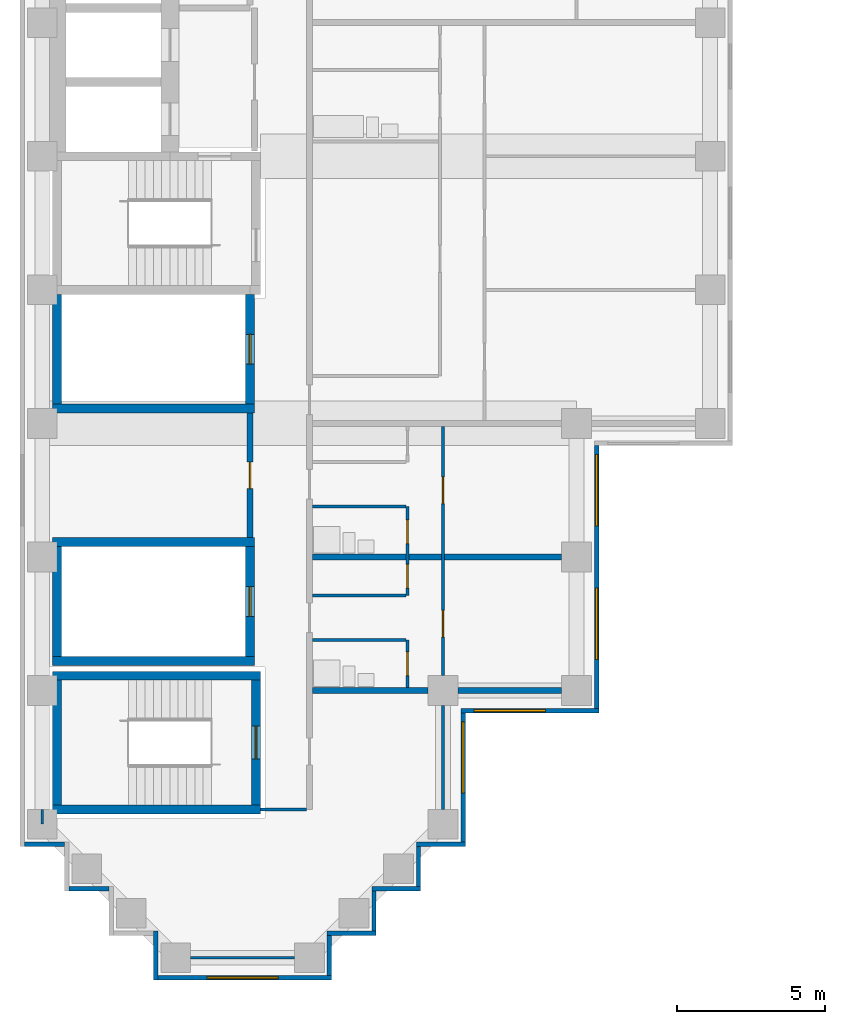
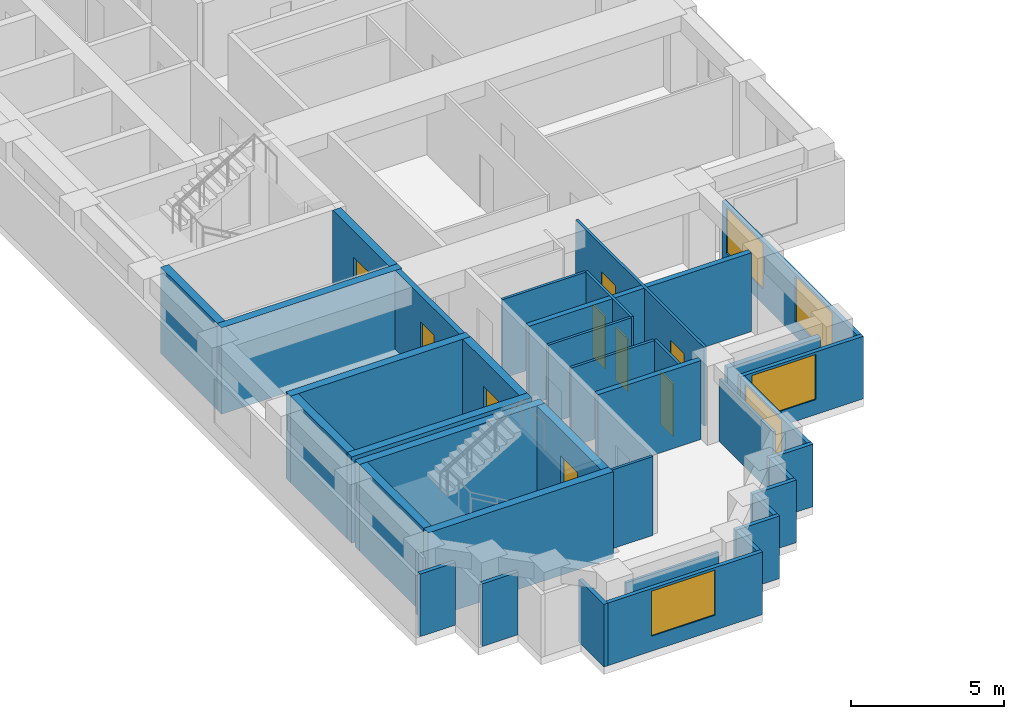
# One storey, part 2 of 12: 38 walls, 9 doors, 5 windows, 14 openings.
"""IFC4 building model written with IfcOpenShell, lengths in metres."""

from ifc_helpers import new_model, si_unit, direction, frame, frame_2d, origin, place, context, subcontext, project, spatial, rectangle, extrude, material, layer, layer_set, type_object, element, fill, save


model = new_model("IFC4")

# Units and contexts
model_context = context("Model", 3, precision=1e-05, world=origin(), true_north=direction((0.0, 1.0)))
body_context = subcontext(model_context, "Body", "Model", "MODEL_VIEW")
ifc_project = project(units=[si_unit("LENGTHUNIT", "METRE"), si_unit("AREAUNIT", "SQUARE_METRE"), si_unit("VOLUMEUNIT", "CUBIC_METRE"), si_unit("PLANEANGLEUNIT", "RADIAN"), si_unit("MASSUNIT", "GRAM", prefix="KILO")], contexts=[model_context])

# Site, building, storey
site_placement = place(None, origin())
site = spatial("IfcSite", under=ifc_project, at=site_placement, CompositionType="ELEMENT")
building_placement = place(site_placement, origin())
building = spatial("IfcBuilding", under=site, at=building_placement, Name="Firuza Court", CompositionType="ELEMENT")
storey_placement = place(building_placement, frame((0.0, 0.0, 170.0)))
storey = spatial("IfcBuildingStorey", under=building, at=storey_placement, Name="L43", CompositionType="ELEMENT", Elevation=170.0)

# Walls
ifc_material_1 = material(Name="Moisture-resistant gypsum board partition")
ifc_layer_1 = layer(ifc_material_1, 0.10009765625)
ifc_layer_set_1 = layer_set([ifc_layer_1], Name="Moisture-resistant gypsum board partition")
wall_type_1 = type_object("IfcWallType", Name="Bathroom partition 100", PredefinedType="PLUMBINGWALL", material=ifc_layer_set_1)
for number, where, z_axis, x_axis, name in (
    (1, (9.10009765625, 10.699951171875, 0.0), (0.0, 0.0, 1.0), (1.0, 0.0, 0.0), "Bathroom partition 100 L43"),
    (2, (9.10009765625, 15.199951171875, 0.0), (0.0, 0.0, 1.0), (1.0, 0.0, 0.0), "Bathroom partition 100 L43"),
):
    element("IfcWall", number, at=place(storey_placement, frame(where, z_axis=z_axis, x_axis=x_axis)), inside=storey, type_object=wall_type_1, Name=name, PredefinedType="PLUMBINGWALL", context=body_context, shape_type="SweptSolid", body=[
        extrude(rectangle(XDim=3.14990234375, YDim=0.10009765625, at=frame_2d((1.574951171875, 0.0))), origin(), (0.0, 0.0, 1.0), 3.14990234375),
    ])
ifc_material_2 = material(Name="Concrete C60/75", Category="concrete")
ifc_layer_2 = layer(ifc_material_2, 0.300048828125)
ifc_layer_set_2 = layer_set([ifc_layer_2], Name="Concrete C60/75")
wall_type_2 = type_object("IfcWallType", Name="Core wall 300 C60/75", PredefinedType="SHEAR", material=ifc_layer_set_2)
for number, where, z_axis, x_axis, name in (
    (3, (0.35009765625, 5.0, -0.300048828125), (0.0, 0.0, 1.0), (1.0, 0.0, 0.0), "Core wall stair L43"),
    (4, (0.35009765625, 9.5, -0.300048828125), (0.0, 0.0, 1.0), (1.0, 0.0, 0.0), "Core wall stair L43"),
):
    element("IfcWall", number, at=place(storey_placement, frame(where, z_axis=z_axis, x_axis=x_axis)), inside=storey, type_object=wall_type_2, Name=name, PredefinedType="SHEAR", context=body_context, shape_type="SweptSolid", body=[
        extrude(rectangle(XDim=7.0, YDim=0.300048828125, at=frame_2d((3.5, 0.0))), origin(), (0.0, 0.0, 1.0), 3.449951171875),
    ])
for number, where, z_axis, x_axis, name in (
    (5, (0.35009765625, 10.0, -0.300048828125), (0.0, 0.0, 1.0), (1.0, 0.0, 0.0), "Core wall riser L43"),
    (6, (0.35009765625, 14.0, -0.300048828125), (0.0, 0.0, 1.0), (1.0, 0.0, 0.0), "Core wall riser L43"),
    (7, (0.35009765625, 18.5, -0.300048828125), (0.0, 0.0, 1.0), (1.0, 0.0, 0.0), "Core wall riser L43"),
):
    element("IfcWall", number, at=place(storey_placement, frame(where, z_axis=z_axis, x_axis=x_axis)), inside=storey, type_object=wall_type_2, Name=name, PredefinedType="SHEAR", context=body_context, shape_type="SweptSolid", body=[
        extrude(rectangle(XDim=6.7998046875, YDim=0.300048828125, at=frame_2d((3.39990234375, 0.0))), origin(), (0.0, 0.0, 1.0), 3.449951171875),
    ])
wall_1_placement = place(storey_placement, frame((0.5, 5.14990234375, -0.300048828125), z_axis=(0.0, 0.0, 1.0), x_axis=(0.0, 1.0, 0.0)))
element("IfcWall", 8, at=wall_1_placement, inside=storey, type_object=wall_type_2, Name="Core wall stair L43", PredefinedType="SHEAR", context=body_context, shape_type="SweptSolid", body=[
    extrude(rectangle(XDim=4.2001953125, YDim=0.300048828125, at=frame_2d((2.10009765625, 0.0))), origin(), (0.0, 0.0, 1.0), 3.449951171875),
])
for number, where, z_axis, x_axis, name in (
    (9, (0.5, 10.14990234375, -0.300048828125), (0.0, 0.0, 1.0), (0.0, 1.0, 0.0), "Core wall riser L43"),
    (10, (0.5, 18.64990234375, -0.300048828125), (0.0, 0.0, 1.0), (0.0, 1.0, 0.0), "Core wall riser L43"),
):
    element("IfcWall", number, at=place(storey_placement, frame(where, z_axis=z_axis, x_axis=x_axis)), inside=storey, type_object=wall_type_2, Name=name, PredefinedType="SHEAR", context=body_context, shape_type="SweptSolid", body=[
        extrude(rectangle(XDim=3.7001953125, YDim=0.300048828125, at=frame_2d((1.85009765625, 0.0))), origin(), (0.0, 0.0, 1.0), 3.449951171875),
    ])

# Wall, opening, door
wall_2_placement = place(storey_placement, frame((7.0, 10.14990234375, -0.300048828125), z_axis=(0.0, 0.0, 1.0), x_axis=(0.0, 1.0, 0.0)))
wall_2 = element("IfcWall", 11, at=wall_2_placement, inside=storey, type_object=wall_type_2, Name="Core wall riser L43", PredefinedType="SHEAR", context=body_context, shape_type="SweptSolid", body=[
    extrude(rectangle(XDim=3.7001953125, YDim=0.300048828125, at=frame_2d((1.85009765625, 0.0))), origin(), (0.0, 0.0, 1.0), 3.449951171875),
])
opening_1_placement = place(wall_2_placement, frame((1.35009765625, 0.0, 0.300048828125)))
opening_1 = element("IfcOpeningElement", 12, at=opening_1_placement, cuts=wall_2, Name="Opening D43011", PredefinedType="OPENING", context=body_context, shape_type="SweptSolid", body=[
    extrude(rectangle(XDim=1.0, YDim=2.10009765625, at=frame_2d((0.5, 1.050048828125))), frame((0.0, 0.162109375, 0.0), z_axis=(0.0, -1.0, 0.0), x_axis=(1.0, 0.0, 0.0)), (0.0, 0.0, 1.0), 0.323974609375),
])
ifc_material_3 = material(Name="Timber door leaf in hardwood frame", Category="wood")
door_type_1 = type_object("IfcDoorType", Name="Riser door 1000", OperationType="SINGLE_SWING_LEFT", PredefinedType="DOOR", material=ifc_material_3)
door_1_placement = place(opening_1_placement, origin())
door_1 = element("IfcDoor", 13, at=door_1_placement, inside=storey, type_object=door_type_1, Name="Riser door R4", OperationType="SINGLE_SWING_LEFT", OverallHeight=2.10009765625, OverallWidth=1.0, PredefinedType="DOOR", context=body_context, shape_type="SweptSolid", body=[
    extrude(rectangle(XDim=1.0, YDim=2.10009765625, at=frame_2d((0.5, 1.050048828125))), frame((0.0, 0.02490234375, 0.0), z_axis=(0.0, -1.0, 0.0), x_axis=(1.0, 0.0, 0.0)), (0.0, 0.0, 1.0), 0.050048828125),
])
fill(opening_1, door_1)

wall_3_placement = place(storey_placement, frame((7.0, 18.64990234375, -0.300048828125), z_axis=(0.0, 0.0, 1.0), x_axis=(0.0, 1.0, 0.0)))
wall_3 = element("IfcWall", 14, at=wall_3_placement, inside=storey, type_object=wall_type_2, Name="Core wall riser L43", PredefinedType="SHEAR", context=body_context, shape_type="SweptSolid", body=[
    extrude(rectangle(XDim=3.7001953125, YDim=0.300048828125, at=frame_2d((1.85009765625, 0.0))), origin(), (0.0, 0.0, 1.0), 3.449951171875),
])
opening_2_placement = place(wall_3_placement, frame((1.35009765625, 0.0, 0.300048828125)))
opening_2 = element("IfcOpeningElement", 15, at=opening_2_placement, cuts=wall_3, Name="Opening D43009", PredefinedType="OPENING", context=body_context, shape_type="SweptSolid", body=[
    extrude(rectangle(XDim=1.0, YDim=2.10009765625, at=frame_2d((0.5, 1.050048828125))), frame((0.0, 0.162109375, 0.0), z_axis=(0.0, -1.0, 0.0), x_axis=(1.0, 0.0, 0.0)), (0.0, 0.0, 1.0), 0.323974609375),
])
door_2_placement = place(opening_2_placement, origin())
door_2 = element("IfcDoor", 16, at=door_2_placement, inside=storey, type_object=door_type_1, Name="Riser door R1", OperationType="SINGLE_SWING_LEFT", OverallHeight=2.10009765625, OverallWidth=1.0, PredefinedType="DOOR", context=body_context, shape_type="SweptSolid", body=[
    extrude(rectangle(XDim=1.0, YDim=2.10009765625, at=frame_2d((0.5, 1.050048828125))), frame((0.0, 0.02490234375, 0.0), z_axis=(0.0, -1.0, 0.0), x_axis=(1.0, 0.0, 0.0)), (0.0, 0.0, 1.0), 0.050048828125),
])
fill(opening_2, door_2)

wall_4_placement = place(storey_placement, frame((7.199951171875, 5.14990234375, -0.300048828125), z_axis=(0.0, 0.0, 1.0), x_axis=(0.0, 1.0, 0.0)))
wall_4 = element("IfcWall", 17, at=wall_4_placement, inside=storey, type_object=wall_type_2, Name="Core wall stair L43", PredefinedType="SHEAR", context=body_context, shape_type="SweptSolid", body=[
    extrude(rectangle(XDim=4.2001953125, YDim=0.300048828125, at=frame_2d((2.10009765625, 0.0))), origin(), (0.0, 0.0, 1.0), 3.449951171875),
])
opening_3_placement = place(wall_4_placement, frame((1.550048828125, 0.0, 0.300048828125)))
opening_3 = element("IfcOpeningElement", 18, at=opening_3_placement, cuts=wall_4, Name="Opening D43017", PredefinedType="OPENING", context=body_context, shape_type="SweptSolid", body=[
    extrude(rectangle(XDim=1.10009765625, YDim=2.10009765625, at=frame_2d((0.550048828125, 1.050048828125))), frame((0.0, 0.162109375, 0.0), z_axis=(0.0, -1.0, 0.0), x_axis=(1.0, 0.0, 0.0)), (0.0, 0.0, 1.0), 0.323974609375),
])
ifc_material_4 = material(Name="Timber door leaf in hardwood frame", Category="wood")
door_type_2 = type_object("IfcDoorType", Name="Stair door 1100", OperationType="SINGLE_SWING_LEFT", PredefinedType="DOOR", material=ifc_material_4)
door_3_placement = place(opening_3_placement, origin())
door_3 = element("IfcDoor", 19, at=door_3_placement, inside=storey, type_object=door_type_2, Name="Stair door S5", OperationType="SINGLE_SWING_LEFT", OverallHeight=2.10009765625, OverallWidth=1.10009765625, PredefinedType="DOOR", context=body_context, shape_type="SweptSolid", body=[
    extrude(rectangle(XDim=1.10009765625, YDim=2.10009765625, at=frame_2d((0.550048828125, 1.050048828125))), frame((0.0, 0.02490234375, 0.0), z_axis=(0.0, -1.0, 0.0), x_axis=(1.0, 0.0, 0.0)), (0.0, 0.0, 1.0), 0.050048828125),
])
fill(opening_3, door_3)

ifc_material_5 = material(Name="Blockwork, plastered both sides", Category="masonry")
ifc_layer_3 = layer(ifc_material_5, 0.199951171875)
ifc_layer_set_3 = layer_set([ifc_layer_3], Name="Blockwork, plastered both sides")
wall_type_3 = type_object("IfcWallType", Name="Corridor wall 200", PredefinedType="PARTITIONING", material=ifc_layer_set_3)
wall_5_placement = place(storey_placement, frame((7.0, 14.14990234375, 0.0), z_axis=(0.0, 0.0, 1.0), x_axis=(0.0, 1.0, 0.0)))
wall_5 = element("IfcWall", 20, at=wall_5_placement, inside=storey, type_object=wall_type_3, Name="Corridor wall 200 L43", PredefinedType="PARTITIONING", context=body_context, shape_type="SweptSolid", body=[
    extrude(rectangle(XDim=4.2001953125, YDim=0.199951171875, at=frame_2d((2.10009765625, 0.0))), origin(), (0.0, 0.0, 1.0), 3.14990234375),
])
opening_4_placement = place(wall_5_placement, frame((1.64990234375, 0.0, 0.0)))
opening_4 = element("IfcOpeningElement", 21, at=opening_4_placement, cuts=wall_5, Name="Opening D43027", PredefinedType="OPENING", context=body_context, shape_type="SweptSolid", body=[
    extrude(rectangle(XDim=0.89990234375, YDim=2.10009765625, at=frame_2d((0.449951171875, 1.050048828125))), frame((0.0, 0.11181640625, 0.0), z_axis=(0.0, -1.0, 0.0), x_axis=(1.0, 0.0, 0.0)), (0.0, 0.0, 1.0), 0.223876953125),
])
ifc_material_6 = material(Name="Timber door leaf in hardwood frame", Category="wood")
door_type_3 = type_object("IfcDoorType", Name="Room door 900 EI 30", OperationType="SINGLE_SWING_LEFT", PredefinedType="DOOR", material=ifc_material_6)
door_4_placement = place(opening_4_placement, origin())
door_4 = element("IfcDoor", 22, at=door_4_placement, inside=storey, type_object=door_type_3, Name="Meeting room door", OperationType="SINGLE_SWING_LEFT", OverallHeight=2.10009765625, OverallWidth=0.89990234375, PredefinedType="DOOR", context=body_context, shape_type="SweptSolid", body=[
    extrude(rectangle(XDim=0.89990234375, YDim=2.10009765625, at=frame_2d((0.449951171875, 1.050048828125))), frame((0.0, 0.02490234375, 0.0), z_axis=(0.0, -1.0, 0.0), x_axis=(1.0, 0.0, 0.0)), (0.0, 0.0, 1.0), 0.050048828125),
])
fill(opening_4, door_4)

# Walls
ifc_material_7 = material(Name="Timber stud partition, plasterboard both sides", Category="wood")
ifc_layer_4 = layer(ifc_material_7, 0.10009765625)
ifc_layer_set_4 = layer_set([ifc_layer_4], Name="Timber stud partition, plasterboard both sides")
wall_type_4 = type_object("IfcWallType", Name="Partition wall 100", PredefinedType="PARTITIONING", material=ifc_layer_set_4)
wall_6_placement = place(storey_placement, frame((5.0, 0.0, 0.0), z_axis=(0.0, 0.0, 1.0), x_axis=(1.0, 0.0, 0.0)))
element("IfcWall", 23, at=wall_6_placement, inside=storey, type_object=wall_type_4, Name="Partition wall 100 L43", PredefinedType="PARTITIONING", context=body_context, shape_type="SweptSolid", body=[
    extrude(rectangle(XDim=3.5, YDim=0.10009765625, at=frame_2d((1.75, 0.0))), origin(), (0.0, 0.0, 1.0), 2.5),
])
wall_7_placement = place(storey_placement, frame((0.0, 4.5, 0.0), z_axis=(0.0, 0.0, 1.0), x_axis=(0.0, 1.0, 0.0)))
element("IfcWall", 24, at=wall_7_placement, inside=storey, type_object=wall_type_4, Name="Partition wall 100 L43", PredefinedType="PARTITIONING", context=body_context, shape_type="SweptSolid", body=[
    extrude(rectangle(XDim=0.5, YDim=0.10009765625, at=frame_2d((0.25, 0.0))), origin(), (0.0, 0.0, 1.0), 2.5),
])
wall_8_placement = place(storey_placement, frame((7.34912109375, 5.0, 0.0), z_axis=(0.0, 0.0, 1.0), x_axis=(1.0, 0.0, 0.0)))
element("IfcWall", 25, at=wall_8_placement, inside=storey, type_object=wall_type_4, Name="Partition wall 100 L43", PredefinedType="PARTITIONING", context=body_context, shape_type="SweptSolid", body=[
    extrude(rectangle(XDim=1.55078125, YDim=0.10009765625, at=frame_2d((0.775390625, 0.0))), origin(), (0.0, 0.0, 1.0), 3.14990234375),
])
wall_9_placement = place(storey_placement, frame((13.5, 5.0, 0.0), z_axis=(0.0, 0.0, 1.0), x_axis=(0.0, 1.0, 0.0)))
element("IfcWall", 26, at=wall_9_placement, inside=storey, type_object=wall_type_4, Name="Partition wall 100 L43", PredefinedType="PARTITIONING", context=body_context, shape_type="SweptSolid", body=[
    extrude(rectangle(XDim=3.5, YDim=0.10009765625, at=frame_2d((1.75, 0.0))), origin(), (0.0, 0.0, 1.0), 2.5),
])

# Wall, opening, door
wall_10_placement = place(storey_placement, frame((12.300048828125, 9.10009765625, 0.0), z_axis=(0.0, 0.0, 1.0), x_axis=(0.0, 1.0, 0.0)))
wall_10 = element("IfcWall", 27, at=wall_10_placement, inside=storey, type_object=wall_type_4, Name="Partition wall 100 L43", PredefinedType="PARTITIONING", context=body_context, shape_type="SweptSolid", body=[
    extrude(rectangle(XDim=1.599853515625, YDim=0.10009765625, at=frame_2d((0.7998046875, 0.0))), origin(), (0.0, 0.0, 1.0), 3.14990234375),
])
opening_5_placement = place(wall_10_placement, frame((0.39990234375, 0.0, 0.0)))
opening_5 = element("IfcOpeningElement", 28, at=opening_5_placement, cuts=wall_10, Name="Opening D43022", PredefinedType="OPENING", context=body_context, shape_type="SweptSolid", body=[
    extrude(rectangle(XDim=0.800048828125, YDim=2.10009765625, at=frame_2d((0.39990234375, 1.050048828125))), frame((0.0, 0.06201171875, 0.0), z_axis=(0.0, -1.0, 0.0), x_axis=(1.0, 0.0, 0.0)), (0.0, 0.0, 1.0), 0.1240234375),
])
ifc_material_8 = material(Name="Timber door leaf in hardwood frame", Category="wood")
door_type_4 = type_object("IfcDoorType", Name="Bathroom door 800", OperationType="SINGLE_SWING_LEFT", PredefinedType="DOOR", material=ifc_material_8)
door_5_placement = place(opening_5_placement, origin())
door_5 = element("IfcDoor", 29, at=door_5_placement, inside=storey, type_object=door_type_4, Name="Bathroom door", OperationType="SINGLE_SWING_RIGHT", OverallHeight=2.10009765625, OverallWidth=0.800048828125, PredefinedType="DOOR", context=body_context, shape_type="SweptSolid", body=[
    extrude(rectangle(XDim=0.800048828125, YDim=2.10009765625, at=frame_2d((0.39990234375, 1.050048828125))), frame((0.0, 0.02490234375, 0.0), z_axis=(0.0, -1.0, 0.0), x_axis=(1.0, 0.0, 0.0)), (0.0, 0.0, 1.0), 0.050048828125),
])
fill(opening_5, door_5)

# Wall, openings, doors
wall_11_placement = place(storey_placement, frame((13.5, 9.5, 0.0), z_axis=(0.0, 0.0, 1.0), x_axis=(0.0, 1.0, 0.0)))
wall_11 = element("IfcWall", 30, at=wall_11_placement, inside=storey, type_object=wall_type_4, Name="Partition wall 100 L43", PredefinedType="PARTITIONING", context=body_context, shape_type="SweptSolid", body=[
    extrude(rectangle(XDim=8.39990234375, YDim=0.10009765625, at=frame_2d((4.199951171875, 0.0))), origin(), (0.0, 0.0, 1.0), 3.14990234375),
])
opening_6_placement = place(wall_11_placement, frame((5.800048828125, 0.0, 0.0)))
opening_6 = element("IfcOpeningElement", 31, at=opening_6_placement, cuts=wall_11, Name="Opening D43023", PredefinedType="OPENING", context=body_context, shape_type="SweptSolid", body=[
    extrude(rectangle(XDim=0.89990234375, YDim=2.10009765625, at=frame_2d((0.449951171875, 1.050048828125))), frame((0.0, 0.06201171875, 0.0), z_axis=(0.0, -1.0, 0.0), x_axis=(1.0, 0.0, 0.0)), (0.0, 0.0, 1.0), 0.1240234375),
])
opening_7_placement = place(wall_11_placement, frame((1.300048828125, 0.0, 0.0)))
opening_7 = element("IfcOpeningElement", 32, at=opening_7_placement, cuts=wall_11, Name="Opening D43024", PredefinedType="OPENING", context=body_context, shape_type="SweptSolid", body=[
    extrude(rectangle(XDim=0.89990234375, YDim=2.10009765625, at=frame_2d((0.449951171875, 1.050048828125))), frame((0.0, 0.06201171875, 0.0), z_axis=(0.0, -1.0, 0.0), x_axis=(1.0, 0.0, 0.0)), (0.0, 0.0, 1.0), 0.1240234375),
])
ifc_material_9 = material(Name="Timber door leaf in hardwood frame", Category="wood")
door_type_5 = type_object("IfcDoorType", Name="Room door 900", OperationType="SINGLE_SWING_LEFT", PredefinedType="DOOR", material=ifc_material_9)
door_6_placement = place(opening_6_placement, frame((0.89990234375, 0.0, 0.0), z_axis=(0.0, 0.0, 1.0), x_axis=(-1.0, 0.0, 0.0)))
door_6 = element("IfcDoor", 33, at=door_6_placement, inside=storey, type_object=door_type_5, Name="Studio room door", OperationType="SINGLE_SWING_RIGHT", OverallHeight=2.10009765625, OverallWidth=0.89990234375, PredefinedType="DOOR", context=body_context, shape_type="SweptSolid", body=[
    extrude(rectangle(XDim=0.89990234375, YDim=2.10009765625, at=frame_2d((0.449951171875, 1.050048828125))), frame((0.0, 0.02490234375, 0.0), z_axis=(0.0, -1.0, 0.0), x_axis=(1.0, 0.0, 0.0)), (0.0, 0.0, 1.0), 0.050048828125),
])
fill(opening_6, door_6)
door_7_placement = place(opening_7_placement, frame((0.89990234375, 0.0, 0.0), z_axis=(0.0, 0.0, 1.0), x_axis=(-1.0, 0.0, 0.0)))
door_7 = element("IfcDoor", 34, at=door_7_placement, inside=storey, type_object=door_type_5, Name="Studio room door", OperationType="SINGLE_SWING_RIGHT", OverallHeight=2.10009765625, OverallWidth=0.89990234375, PredefinedType="DOOR", context=body_context, shape_type="SweptSolid", body=[
    extrude(rectangle(XDim=0.89990234375, YDim=2.10009765625, at=frame_2d((0.449951171875, 1.050048828125))), frame((0.0, 0.02490234375, 0.0), z_axis=(0.0, -1.0, 0.0), x_axis=(1.0, 0.0, 0.0)), (0.0, 0.0, 1.0), 0.050048828125),
])
fill(opening_7, door_7)

# Wall
wall_12_placement = place(storey_placement, frame((9.10009765625, 12.199951171875, 0.0), z_axis=(0.0, 0.0, 1.0), x_axis=(1.0, 0.0, 0.0)))
element("IfcWall", 35, at=wall_12_placement, inside=storey, type_object=wall_type_4, Name="Partition wall 100 L43", PredefinedType="PARTITIONING", context=body_context, shape_type="SweptSolid", body=[
    extrude(rectangle(XDim=3.14990234375, YDim=0.10009765625, at=frame_2d((1.574951171875, 0.0))), origin(), (0.0, 0.0, 1.0), 3.14990234375),
])

# Wall, openings, doors
wall_13_placement = place(storey_placement, frame((12.300048828125, 12.199951171875, 0.0), z_axis=(0.0, 0.0, 1.0), x_axis=(0.0, 1.0, 0.0)))
wall_13 = element("IfcWall", 36, at=wall_13_placement, inside=storey, type_object=wall_type_4, Name="Partition wall 100 L43", PredefinedType="PARTITIONING", context=body_context, shape_type="SweptSolid", body=[
    extrude(rectangle(XDim=3.0, YDim=0.10009765625, at=frame_2d((1.5, 0.0))), origin(), (0.0, 0.0, 1.0), 3.14990234375),
])
opening_8_placement = place(wall_13_placement, frame((1.75, 0.0, 0.0)))
opening_8 = element("IfcOpeningElement", 37, at=opening_8_placement, cuts=wall_13, Name="Opening D43025", PredefinedType="OPENING", context=body_context, shape_type="SweptSolid", body=[
    extrude(rectangle(XDim=0.800048828125, YDim=2.10009765625, at=frame_2d((0.39990234375, 1.050048828125))), frame((0.0, 0.06201171875, 0.0), z_axis=(0.0, -1.0, 0.0), x_axis=(1.0, 0.0, 0.0)), (0.0, 0.0, 1.0), 0.1240234375),
])
opening_9_placement = place(wall_13_placement, frame((0.25, 0.0, 0.0)))
opening_9 = element("IfcOpeningElement", 38, at=opening_9_placement, cuts=wall_13, Name="Opening D43026", PredefinedType="OPENING", context=body_context, shape_type="SweptSolid", body=[
    extrude(rectangle(XDim=0.800048828125, YDim=2.10009765625, at=frame_2d((0.39990234375, 1.050048828125))), frame((0.0, 0.06201171875, 0.0), z_axis=(0.0, -1.0, 0.0), x_axis=(1.0, 0.0, 0.0)), (0.0, 0.0, 1.0), 0.1240234375),
])
door_8_placement = place(opening_8_placement, origin())
door_8 = element("IfcDoor", 39, at=door_8_placement, inside=storey, type_object=door_type_4, Name="Bathroom door", OperationType="SINGLE_SWING_LEFT", OverallHeight=2.10009765625, OverallWidth=0.800048828125, PredefinedType="DOOR", context=body_context, shape_type="SweptSolid", body=[
    extrude(rectangle(XDim=0.800048828125, YDim=2.10009765625, at=frame_2d((0.39990234375, 1.050048828125))), frame((0.0, 0.02490234375, 0.0), z_axis=(0.0, -1.0, 0.0), x_axis=(1.0, 0.0, 0.0)), (0.0, 0.0, 1.0), 0.050048828125),
])
fill(opening_8, door_8)
ifc_material_10 = material(Name="Timber door leaf in hardwood frame", Category="wood")
door_type_6 = type_object("IfcDoorType", Name="Room door 800", OperationType="SINGLE_SWING_LEFT", PredefinedType="DOOR", material=ifc_material_10)
door_9_placement = place(opening_9_placement, origin())
door_9 = element("IfcDoor", 40, at=door_9_placement, inside=storey, type_object=door_type_6, Name="Kitchen door", OperationType="SINGLE_SWING_LEFT", OverallHeight=2.10009765625, OverallWidth=0.800048828125, PredefinedType="DOOR", context=body_context, shape_type="SweptSolid", body=[
    extrude(rectangle(XDim=0.800048828125, YDim=2.10009765625, at=frame_2d((0.39990234375, 1.050048828125))), frame((0.0, 0.02490234375, 0.0), z_axis=(0.0, -1.0, 0.0), x_axis=(1.0, 0.0, 0.0)), (0.0, 0.0, 1.0), 0.050048828125),
])
fill(opening_9, door_9)

# Walls
ifc_layer_5 = layer(ifc_material_5, 0.199951171875)
ifc_layer_set_5 = layer_set([ifc_layer_5], Name="Blockwork, plastered both sides")
wall_type_5 = type_object("IfcWallType", Name="Party wall 200", PredefinedType="PARTITIONING", material=ifc_layer_set_5)
wall_14_placement = place(storey_placement, frame((9.10009765625, 9.0, 0.0), z_axis=(0.0, 0.0, 1.0), x_axis=(1.0, 0.0, 0.0)))
element("IfcWall", 41, at=wall_14_placement, inside=storey, type_object=wall_type_5, Name="Party wall 200 L43", PredefinedType="PARTITIONING", context=body_context, shape_type="SweptSolid", body=[
    extrude(rectangle(XDim=3.89990234375, YDim=0.199951171875, at=frame_2d((1.949951171875, 0.0))), origin(), (0.0, 0.0, 1.0), 3.14990234375),
])
wall_15_placement = place(storey_placement, frame((14.0, 9.0, 0.0), z_axis=(0.0, 0.0, 1.0), x_axis=(1.0, 0.0, 0.0)))
element("IfcWall", 42, at=wall_15_placement, inside=storey, type_object=wall_type_5, Name="Party wall 200 L43", PredefinedType="PARTITIONING", context=body_context, shape_type="SweptSolid", body=[
    extrude(rectangle(XDim=3.5, YDim=0.199951171875, at=frame_2d((1.75, 0.0))), origin(), (0.0, 0.0, 1.0), 2.5),
])
wall_16_placement = place(storey_placement, frame((9.10009765625, 13.5, 0.0), z_axis=(0.0, 0.0, 1.0), x_axis=(1.0, 0.0, 0.0)))
element("IfcWall", 43, at=wall_16_placement, inside=storey, type_object=wall_type_5, Name="Party wall 200 L43", PredefinedType="PARTITIONING", context=body_context, shape_type="SweptSolid", body=[
    extrude(rectangle(XDim=8.39990234375, YDim=0.199951171875, at=frame_2d((4.199951171875, 0.0))), origin(), (0.0, 0.0, 1.0), 3.14990234375),
])
ifc_material_11 = material(Name="Ceramic tile", Category="ceramic")
ifc_layer_6 = layer(ifc_material_11, 0.02001953125)
ifc_material_12 = material(Name="Mineral wool insulation", Category="insulation")
ifc_layer_7 = layer(ifc_material_12, 0.050048828125)
ifc_material_13 = material(Name="Concrete C40/50 precast", Category="concrete")
ifc_layer_8 = layer(ifc_material_13, 0.080078125)
ifc_layer_set_6 = layer_set([ifc_layer_6, ifc_layer_7, ifc_layer_8], Name="Concrete C40/50 precast")
wall_type_6 = type_object("IfcWallType", Name="Precast cladding wall with turquoise TILE PANEL face 150", PredefinedType="STANDARD", material=ifc_layer_set_6)
wall_17_placement = place(storey_placement, frame((9.675048828125, -0.60009765625, 0.0), z_axis=(0.0, 0.0, 1.0), x_axis=(0.0, 1.0, 0.0)))
element("IfcWall", 44, at=wall_17_placement, inside=storey, type_object=wall_type_6, Name="Facade wall L43 E", PredefinedType="STANDARD", context=body_context, shape_type="SweptSolid", body=[
    extrude(rectangle(XDim=1.35009765625, YDim=0.14990234375, at=frame_2d((0.675048828125, 0.0))), origin(), (0.0, 0.0, 1.0), 2.5),
])
wall_18_placement = place(storey_placement, frame((9.60009765625, 0.824951171875, 0.0), z_axis=(0.0, 0.0, 1.0), x_axis=(1.0, 0.0, 0.0)))
element("IfcWall", 45, at=wall_18_placement, inside=storey, type_object=wall_type_6, Name="Facade wall L43 S", PredefinedType="STANDARD", context=body_context, shape_type="SweptSolid", body=[
    extrude(rectangle(XDim=1.64990234375, YDim=0.14990234375, at=frame_2d((0.824951171875, 0.0))), origin(), (0.0, 0.0, 1.0), 2.5),
])
wall_19_placement = place(storey_placement, frame((11.175048828125, 0.89990234375, 0.0), z_axis=(0.0, 0.0, 1.0), x_axis=(0.0, 1.0, 0.0)))
element("IfcWall", 46, at=wall_19_placement, inside=storey, type_object=wall_type_6, Name="Facade wall L43 E", PredefinedType="STANDARD", context=body_context, shape_type="SweptSolid", body=[
    extrude(rectangle(XDim=1.35009765625, YDim=0.14990234375, at=frame_2d((0.675048828125, 0.0))), origin(), (0.0, 0.0, 1.0), 2.5),
])
wall_20_placement = place(storey_placement, frame((11.10009765625, 2.324951171875, 0.0), z_axis=(0.0, 0.0, 1.0), x_axis=(1.0, 0.0, 0.0)))
element("IfcWall", 47, at=wall_20_placement, inside=storey, type_object=wall_type_6, Name="Facade wall L43 S", PredefinedType="STANDARD", context=body_context, shape_type="SweptSolid", body=[
    extrude(rectangle(XDim=1.64990234375, YDim=0.14990234375, at=frame_2d((0.824951171875, 0.0))), origin(), (0.0, 0.0, 1.0), 2.5),
])
wall_21_placement = place(storey_placement, frame((12.675048828125, 2.39990234375, 0.0), z_axis=(0.0, 0.0, 1.0), x_axis=(0.0, 1.0, 0.0)))
element("IfcWall", 48, at=wall_21_placement, inside=storey, type_object=wall_type_6, Name="Facade wall L43 E", PredefinedType="STANDARD", context=body_context, shape_type="SweptSolid", body=[
    extrude(rectangle(XDim=1.35009765625, YDim=0.14990234375, at=frame_2d((0.675048828125, 0.0))), origin(), (0.0, 0.0, 1.0), 2.5),
])
wall_22_placement = place(storey_placement, frame((12.60009765625, 3.824951171875, 0.0), z_axis=(0.0, 0.0, 1.0), x_axis=(1.0, 0.0, 0.0)))
element("IfcWall", 49, at=wall_22_placement, inside=storey, type_object=wall_type_6, Name="Facade wall L43 S", PredefinedType="STANDARD", context=body_context, shape_type="SweptSolid", body=[
    extrude(rectangle(XDim=1.64990234375, YDim=0.14990234375, at=frame_2d((0.824951171875, 0.0))), origin(), (0.0, 0.0, 1.0), 2.5),
])

# Wall, opening, window
wall_23_placement = place(storey_placement, frame((14.175048828125, 3.89990234375, 0.0), z_axis=(0.0, 0.0, 1.0), x_axis=(0.0, 1.0, 0.0)))
wall_23 = element("IfcWall", 50, at=wall_23_placement, inside=storey, type_object=wall_type_6, Name="Facade wall L43 E", PredefinedType="STANDARD", context=body_context, shape_type="SweptSolid", body=[
    extrude(rectangle(XDim=4.35009765625, YDim=0.14990234375, at=frame_2d((2.175048828125, 0.0))), origin(), (0.0, 0.0, 1.0), 2.5),
])
opening_10_placement = place(wall_23_placement, frame((1.64990234375, 0.0, 0.60009765625)))
opening_10 = element("IfcOpeningElement", 51, at=opening_10_placement, cuts=wall_23, Name="Opening W1", PredefinedType="OPENING", context=body_context, shape_type="SweptSolid", body=[
    extrude(rectangle(XDim=2.39990234375, YDim=1.800048828125, at=frame_2d((1.199951171875, 0.89990234375))), frame((0.0, 0.0869140625, 0.0), z_axis=(0.0, -1.0, 0.0), x_axis=(1.0, 0.0, 0.0)), (0.0, 0.0, 1.0), 0.173828125),
])
ifc_material_14 = material(Name="Aluminium frame, triple clear glazing", Category="aluminium")
window_type = type_object("IfcWindowType", Name="Window W1 2400 x 1800", PartitioningType="SINGLE_PANEL", PredefinedType="WINDOW", material=ifc_material_14)
window_1_placement = place(opening_10_placement, origin())
window_1 = element("IfcWindow", 52, at=window_1_placement, inside=storey, type_object=window_type, Name="Window L43", OverallHeight=1.800048828125, OverallWidth=2.39990234375, PartitioningType="SINGLE_PANEL", PredefinedType="WINDOW", context=body_context, shape_type="SweptSolid", body=[
    extrude(rectangle(XDim=2.39990234375, YDim=1.800048828125, at=frame_2d((1.199951171875, 0.89990234375))), frame((0.0, 0.030029296875, 0.0), z_axis=(0.0, -1.0, 0.0), x_axis=(1.0, 0.0, 0.0)), (0.0, 0.0, 1.0), 0.06005859375),
])
fill(opening_10, window_1)

wall_24_placement = place(storey_placement, frame((14.10009765625, 8.324951171875, 0.0), z_axis=(0.0, 0.0, 1.0), x_axis=(1.0, 0.0, 0.0)))
wall_24 = element("IfcWall", 53, at=wall_24_placement, inside=storey, type_object=wall_type_6, Name="Facade wall L43 S", PredefinedType="STANDARD", context=body_context, shape_type="SweptSolid", body=[
    extrude(rectangle(XDim=4.64990234375, YDim=0.14990234375, at=frame_2d((2.324951171875, 0.0))), origin(), (0.0, 0.0, 1.0), 2.5),
])
opening_11_placement = place(wall_24_placement, frame((0.449951171875, 0.0, 0.60009765625)))
opening_11 = element("IfcOpeningElement", 54, at=opening_11_placement, cuts=wall_24, Name="Opening W1", PredefinedType="OPENING", context=body_context, shape_type="SweptSolid", body=[
    extrude(rectangle(XDim=2.39990234375, YDim=1.800048828125, at=frame_2d((1.199951171875, 0.89990234375))), frame((0.0, 0.0869140625, 0.0), z_axis=(0.0, -1.0, 0.0), x_axis=(1.0, 0.0, 0.0)), (0.0, 0.0, 1.0), 0.173828125),
])
window_2_placement = place(opening_11_placement, origin())
window_2 = element("IfcWindow", 55, at=window_2_placement, inside=storey, type_object=window_type, Name="Window L43", OverallHeight=1.800048828125, OverallWidth=2.39990234375, PartitioningType="SINGLE_PANEL", PredefinedType="WINDOW", context=body_context, shape_type="SweptSolid", body=[
    extrude(rectangle(XDim=2.39990234375, YDim=1.800048828125, at=frame_2d((1.199951171875, 0.89990234375))), frame((0.0, 0.030029296875, 0.0), z_axis=(0.0, -1.0, 0.0), x_axis=(1.0, 0.0, 0.0)), (0.0, 0.0, 1.0), 0.06005859375),
])
fill(opening_11, window_2)

# Wall, openings, windows
wall_25_placement = place(storey_placement, frame((18.675048828125, 8.39990234375, 0.0), z_axis=(0.0, 0.0, 1.0), x_axis=(0.0, 1.0, 0.0)))
wall_25 = element("IfcWall", 56, at=wall_25_placement, inside=storey, type_object=wall_type_6, Name="Facade wall L43 E", PredefinedType="STANDARD", context=body_context, shape_type="SweptSolid", body=[
    extrude(rectangle(XDim=8.85009765625, YDim=0.14990234375, at=frame_2d((4.425048828125, 0.0))), origin(), (0.0, 0.0, 1.0), 2.5),
])
opening_12_placement = place(wall_25_placement, frame((1.64990234375, 0.0, 0.60009765625)))
opening_12 = element("IfcOpeningElement", 57, at=opening_12_placement, cuts=wall_25, Name="Opening W1", PredefinedType="OPENING", context=body_context, shape_type="SweptSolid", body=[
    extrude(rectangle(XDim=2.39990234375, YDim=1.800048828125, at=frame_2d((1.199951171875, 0.89990234375))), frame((0.0, 0.0869140625, 0.0), z_axis=(0.0, -1.0, 0.0), x_axis=(1.0, 0.0, 0.0)), (0.0, 0.0, 1.0), 0.173828125),
])
opening_13_placement = place(wall_25_placement, frame((6.14990234375, 0.0, 0.60009765625)))
opening_13 = element("IfcOpeningElement", 58, at=opening_13_placement, cuts=wall_25, Name="Opening W1", PredefinedType="OPENING", context=body_context, shape_type="SweptSolid", body=[
    extrude(rectangle(XDim=2.39990234375, YDim=1.800048828125, at=frame_2d((1.199951171875, 0.89990234375))), frame((0.0, 0.0869140625, 0.0), z_axis=(0.0, -1.0, 0.0), x_axis=(1.0, 0.0, 0.0)), (0.0, 0.0, 1.0), 0.173828125),
])
window_3_placement = place(opening_12_placement, origin())
window_3 = element("IfcWindow", 59, at=window_3_placement, inside=storey, type_object=window_type, Name="Window L43", OverallHeight=1.800048828125, OverallWidth=2.39990234375, PartitioningType="SINGLE_PANEL", PredefinedType="WINDOW", context=body_context, shape_type="SweptSolid", body=[
    extrude(rectangle(XDim=2.39990234375, YDim=1.800048828125, at=frame_2d((1.199951171875, 0.89990234375))), frame((0.0, 0.030029296875, 0.0), z_axis=(0.0, -1.0, 0.0), x_axis=(1.0, 0.0, 0.0)), (0.0, 0.0, 1.0), 0.06005859375),
])
fill(opening_12, window_3)
window_4_placement = place(opening_13_placement, origin())
window_4 = element("IfcWindow", 60, at=window_4_placement, inside=storey, type_object=window_type, Name="Window L43", OverallHeight=1.800048828125, OverallWidth=2.39990234375, PartitioningType="SINGLE_PANEL", PredefinedType="WINDOW", context=body_context, shape_type="SweptSolid", body=[
    extrude(rectangle(XDim=2.39990234375, YDim=1.800048828125, at=frame_2d((1.199951171875, 0.89990234375))), frame((0.0, 0.030029296875, 0.0), z_axis=(0.0, -1.0, 0.0), x_axis=(1.0, 0.0, 0.0)), (0.0, 0.0, 1.0), 0.06005859375),
])
fill(opening_13, window_4)

# Walls
for number, where, z_axis, x_axis, name in (
    (61, (-0.60009765625, 3.824951171875, 0.0), (0.0, 0.0, 1.0), (1.0, 0.0, 0.0), "Facade wall L43 S"),
    (62, (0.89990234375, 2.324951171875, 0.0), (0.0, 0.0, 1.0), (1.0, 0.0, 0.0), "Facade wall L43 S"),
):
    element("IfcWall", number, at=place(storey_placement, frame(where, z_axis=z_axis, x_axis=x_axis)), inside=storey, type_object=wall_type_6, Name=name, PredefinedType="STANDARD", context=body_context, shape_type="SweptSolid", body=[
        extrude(rectangle(XDim=1.35009765625, YDim=0.14990234375, at=frame_2d((0.675048828125, 0.0))), origin(), (0.0, 0.0, 1.0), 2.5),
    ])
wall_26_placement = place(storey_placement, frame((3.824951171875, 0.89990234375, 0.0), z_axis=(0.0, 0.0, 1.0), x_axis=(0.0, -1.0, 0.0)))
element("IfcWall", 63, at=wall_26_placement, inside=storey, type_object=wall_type_6, Name="Facade wall L43 W", PredefinedType="STANDARD", context=body_context, shape_type="SweptSolid", body=[
    extrude(rectangle(XDim=1.64990234375, YDim=0.14990234375, at=frame_2d((0.824951171875, 0.0))), origin(), (0.0, 0.0, 1.0), 2.5),
])

# Wall, opening, window
wall_27_placement = place(storey_placement, frame((3.89990234375, -0.675048828125, 0.0), z_axis=(0.0, 0.0, 1.0), x_axis=(1.0, 0.0, 0.0)))
wall_27 = element("IfcWall", 64, at=wall_27_placement, inside=storey, type_object=wall_type_6, Name="Facade wall L43 S", PredefinedType="STANDARD", context=body_context, shape_type="SweptSolid", body=[
    extrude(rectangle(XDim=5.85009765625, YDim=0.14990234375, at=frame_2d((2.925048828125, 0.0))), origin(), (0.0, 0.0, 1.0), 2.5),
])
opening_14_placement = place(wall_27_placement, frame((1.64990234375, 0.0, 0.60009765625)))
opening_14 = element("IfcOpeningElement", 65, at=opening_14_placement, cuts=wall_27, Name="Opening W1", PredefinedType="OPENING", context=body_context, shape_type="SweptSolid", body=[
    extrude(rectangle(XDim=2.39990234375, YDim=1.800048828125, at=frame_2d((1.199951171875, 0.89990234375))), frame((0.0, 0.0869140625, 0.0), z_axis=(0.0, -1.0, 0.0), x_axis=(1.0, 0.0, 0.0)), (0.0, 0.0, 1.0), 0.173828125),
])
window_5_placement = place(opening_14_placement, origin())
window_5 = element("IfcWindow", 66, at=window_5_placement, inside=storey, type_object=window_type, Name="Window L43", OverallHeight=1.800048828125, OverallWidth=2.39990234375, PartitioningType="SINGLE_PANEL", PredefinedType="WINDOW", context=body_context, shape_type="SweptSolid", body=[
    extrude(rectangle(XDim=2.39990234375, YDim=1.800048828125, at=frame_2d((1.199951171875, 0.89990234375))), frame((0.0, 0.030029296875, 0.0), z_axis=(0.0, -1.0, 0.0), x_axis=(1.0, 0.0, 0.0)), (0.0, 0.0, 1.0), 0.06005859375),
])
fill(opening_14, window_5)

save(model, "model.ifc")
